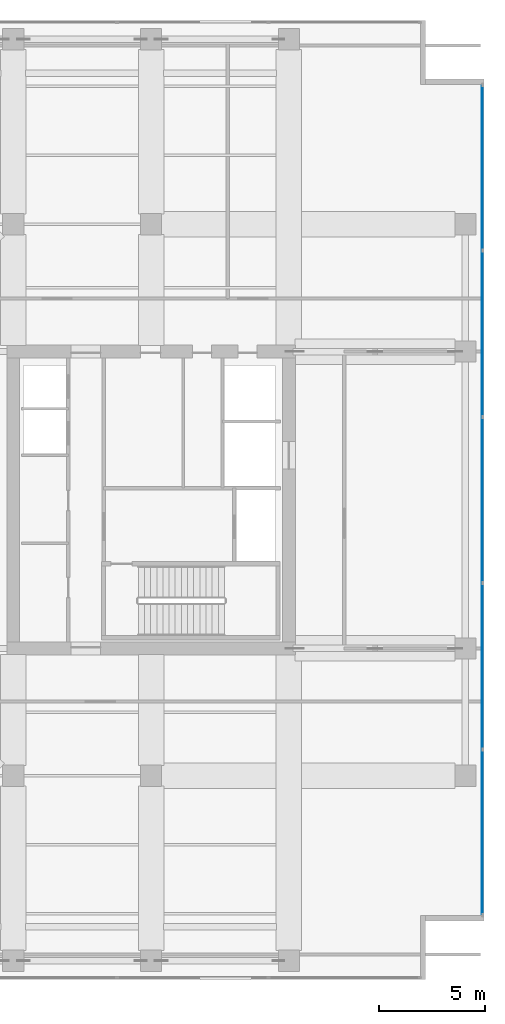
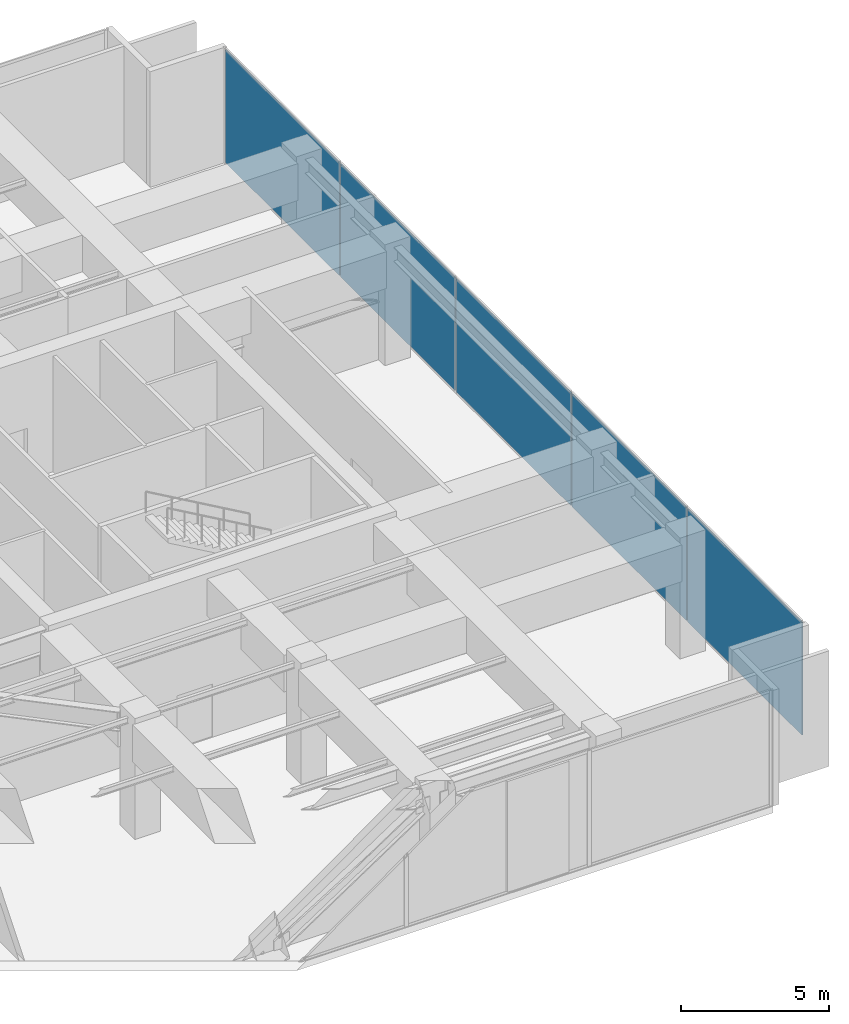
# One storey, part 17 of 28: 5 plates, 1 element without a shape of its own.
"""IFC4 building model written with IfcOpenShell, lengths in metres."""

import ifcopenshell
import ifcopenshell.guid

model = None  # the IFC model being written
_history = None  # IfcOwnerHistory: only IFC2X3 demands one
_inside = {}  # id of a spatial element -> (the spatial element, [elements in it])
_under = {}  # id of a project, library or spatial element -> (it, [spatial elements below it])
_declared = {}  # id of a project -> (the project, [libraries it declares])
_typed = {}  # id of a type object -> (the type object, [elements of that type])
_made_of = {}  # id of a material, layer set ... -> (it, [elements and type objects made of it])


def new_model(schema):
    """Start an empty IFC model of exactly this schema.

    Asked for "IFC4X3", IfcOpenShell would pick the latest addendum, in which some entities
    have other attributes; the version numbers below select the first issue.
    IFC2X3 requires an IfcOwnerHistory on every rooted entity: one is made here for all.
    """
    global model, _history
    if schema == "IFC4X3":
        model = ifcopenshell.file(schema_version=(4, 3, 0, 0))
    else:
        model = ifcopenshell.file(schema=schema)
    _inside.clear()
    _under.clear()
    _declared.clear()
    _typed.clear()
    _made_of.clear()
    _history = None
    if model.schema == "IFC2X3":
        org = make("IfcOrganization", Name="unknown")
        user = make(
            "IfcPersonAndOrganization",
            ThePerson=make("IfcPerson", FamilyName="unknown"),
            TheOrganization=org,
        )
        app = make(
            "IfcApplication",
            ApplicationDeveloper=org,
            Version="unknown",
            ApplicationFullName="unknown",
            ApplicationIdentifier="unknown",
        )
        _history = make(
            "IfcOwnerHistory",
            OwningUser=user,
            OwningApplication=app,
            ChangeAction="ADDED",
            CreationDate=0,
        )
    return model


def make(cls, **values):
    """One entity of the class cls with the attributes given. An attribute that is None is left unset."""
    return model.create_entity(
        cls, **{name: value for name, value in values.items() if value is not None}
    )


def rooted(cls, **values):
    """An entity with a GlobalId (a new one), such as an element, a storey or a relation."""
    return make(cls, GlobalId=ifcopenshell.guid.new(), OwnerHistory=_history, **values)


def si_unit(unit_type, name, prefix=None):
    """IfcSIUnit, for example si_unit("LENGTHUNIT", "METRE", prefix="MILLI")."""
    return make("IfcSIUnit", UnitType=unit_type, Prefix=prefix, Name=name)


def assignment(units):
    """IfcUnitAssignment: the units of a project."""
    return None if units is None else make("IfcUnitAssignment", Units=units)


def point(xyz):
    """IfcCartesianPoint."""
    return None if xyz is None else make("IfcCartesianPoint", Coordinates=xyz)


def direction(xyz):
    """IfcDirection."""
    return None if xyz is None else make("IfcDirection", DirectionRatios=xyz)


def frame(location, z_axis=None, x_axis=None):
    """IfcAxis2Placement3D, a coordinate frame: its origin and axes. An axis left out is left unset."""
    return make(
        "IfcAxis2Placement3D",
        Location=point(location),
        Axis=direction(z_axis),
        RefDirection=direction(x_axis),
    )


def frame_2d(location, x_axis=None):
    """IfcAxis2Placement2D, a coordinate frame in the plane: its origin and x axis."""
    return make(
        "IfcAxis2Placement2D", Location=point(location), RefDirection=direction(x_axis)
    )


def origin():
    """The frame at (0, 0, 0) with its axes left unset."""
    return frame((0.0, 0.0, 0.0))


def origin_2d():
    """The frame at (0, 0) in the plane with its x axis left unset."""
    return frame_2d((0.0, 0.0))


def place(relative_to, where):
    """IfcLocalPlacement: puts the frame where relative to a parent placement (None: the world)."""
    return make(
        "IfcLocalPlacement", PlacementRelTo=relative_to, RelativePlacement=where
    )


def context(
    kind, dimensions, precision=None, world=None, true_north=None, identifier=None
):
    """IfcGeometricRepresentationContext, for example the 3D "Model" context."""
    return make(
        "IfcGeometricRepresentationContext",
        ContextIdentifier=identifier,
        ContextType=kind,
        CoordinateSpaceDimension=dimensions,
        Precision=precision,
        WorldCoordinateSystem=world,
        TrueNorth=true_north,
    )


def subcontext(parent, identifier, kind, view, scale=None):
    """IfcGeometricRepresentationSubContext, for example "Body" below "Model"."""
    return make(
        "IfcGeometricRepresentationSubContext",
        ContextIdentifier=identifier,
        ContextType=kind,
        ParentContext=parent,
        TargetScale=scale,
        TargetView=view,
    )


def project(units=None, contexts=None):
    """IfcProject with its units and contexts."""
    return rooted(
        "IfcProject",
        Name="project",
        RepresentationContexts=contexts,
        UnitsInContext=assignment(units),
    )


def spatial(cls, under=None, at=None, **own):
    """A site, building, storey or space (cls), placed at a placement, below another one or the project."""
    s = rooted(cls, ObjectPlacement=at, **own)
    if under is not None:
        _under.setdefault(under.id(), (under, []))[1].append(s)
    return s


def profile(cls, at=None, kind="AREA", **sizes):
    """A parametric profile (cls). Its sizes go by their IFC names, for example OverallWidth=200.0."""
    return make(cls, ProfileType=kind, Position=at, **sizes)


def rectangle(**sizes):
    """IfcRectangleProfileDef."""
    return profile("IfcRectangleProfileDef", **sizes)


def extrude(swept, where, along, depth):
    """IfcExtrudedAreaSolid: the profile swept, set in the frame where, extruded along a direction by depth."""
    return make(
        "IfcExtrudedAreaSolid",
        SweptArea=swept,
        Position=where,
        ExtrudedDirection=direction(along),
        Depth=depth,
    )


def shape(context_of_items, identifier, shape_type, items):
    """IfcShapeRepresentation: the items that make up one representation, for example the "Body"."""
    return make(
        "IfcShapeRepresentation",
        ContextOfItems=context_of_items,
        RepresentationIdentifier=identifier,
        RepresentationType=shape_type,
        Items=items,
    )


def material(Name=None, Category=None):
    """IfcMaterial."""
    return make("IfcMaterial", Name=Name, Category=Category)


def layer(
    of_material, thickness, ventilated=None, Name=None, Category=None, Priority=None
):
    """IfcMaterialLayer: one layer of a wall or slab, of a material (None: an air gap)."""
    return make(
        "IfcMaterialLayer",
        Material=of_material,
        LayerThickness=thickness,
        IsVentilated=ventilated,
        Name=Name,
        Category=Category,
        Priority=Priority,
    )


def layer_set(layers, Name=None):
    """IfcMaterialLayerSet."""
    return make("IfcMaterialLayerSet", MaterialLayers=layers, LayerSetName=Name)


def made_of(thing, what):
    """Note that an element or type object is made of a material, layer set ...; save() writes the relation."""
    if what is not None:
        _made_of.setdefault(what.id(), (what, []))[1].append(thing)
    return thing


def type_object(cls, material=None, **own):
    """A type object (cls), such as IfcWallType, which elements share."""
    return made_of(rooted(cls, **own), material)


def element(
    cls,
    number,
    at=None,
    inside=None,
    cuts=None,
    type_object=None,
    material=None,
    context=None,
    identifier="Body",
    shape_type=None,
    held_by="IfcProductDefinitionShape",
    body=None,
    shapes=None,
    **own,
):
    """One element of the class cls, such as IfcWall. Its Tag is "e" and its number.

    at: its placement. inside: the storey or other place that contains it. cuts: it is an
    opening in that element (IfcRelVoidsElement). A single representation is given by context,
    identifier, shape_type and body (its items); several are given by shapes. held_by: the class
    of the entity that holds the representations. save() writes the other relations.
    """
    e = rooted(cls, Tag="e%d" % number, ObjectPlacement=at, **own)
    if body is not None:
        shapes = [shape(context, identifier, shape_type, body)]
    if shapes is not None:
        e.Representation = make(held_by, Representations=shapes)
    if inside is not None:
        _inside.setdefault(inside.id(), (inside, []))[1].append(e)
    if cuts is not None:
        rooted(
            "IfcRelVoidsElement", RelatingBuildingElement=cuts, RelatedOpeningElement=e
        )
    if type_object is not None:
        _typed.setdefault(type_object.id(), (type_object, []))[1].append(e)
    return made_of(e, material)


def aggregate(whole, parts):
    """IfcRelAggregates: a whole, such as a stair, and the parts it consists of."""
    return rooted("IfcRelAggregates", RelatingObject=whole, RelatedObjects=parts)


def save(model, path):
    """Write the relations noted so far, then the file.

    IfcRelAggregates (storeys below a building ...), IfcRelContainedInSpatialStructure (elements
    in a storey), IfcRelDefinesByType, IfcRelAssociatesMaterial and IfcRelDeclares: one each for
    every whole, place, type object, material and project.
    """
    for whole, parts in _under.values():
        aggregate(whole, parts)
    for where, things in _inside.values():
        rooted(
            "IfcRelContainedInSpatialStructure",
            RelatedElements=things,
            RelatingStructure=where,
        )
    for kind, things in _typed.values():
        rooted("IfcRelDefinesByType", RelatedObjects=things, RelatingType=kind)
    for what, things in _made_of.values():
        rooted("IfcRelAssociatesMaterial", RelatedObjects=things, RelatingMaterial=what)
    for by, libraries in _declared.values():
        rooted("IfcRelDeclares", RelatingContext=by, RelatedDefinitions=libraries)
    model.write(path)


model = new_model("IFC4")

# Units and contexts
model_context = context("Model", 3, precision=1e-05, world=origin(), true_north=direction((0.0, 1.0)))
body_context = subcontext(model_context, "Body", "Model", "MODEL_VIEW")
ifc_project = project(units=[si_unit("LENGTHUNIT", "METRE"), si_unit("AREAUNIT", "SQUARE_METRE"), si_unit("VOLUMEUNIT", "CUBIC_METRE"), si_unit("PLANEANGLEUNIT", "RADIAN"), si_unit("MASSUNIT", "GRAM", prefix="KILO")], contexts=[model_context])

# Site, building, storey
site_placement = place(None, origin())
site = spatial("IfcSite", under=ifc_project, at=site_placement, CompositionType="ELEMENT")
building_placement = place(site_placement, origin())
building = spatial("IfcBuilding", under=site, at=building_placement, Name="Putna Gate Headquarters", CompositionType="ELEMENT")
storey_placement = place(building_placement, frame((0.0, 0.0, 197.39990234375)))
storey = spatial("IfcBuildingStorey", under=building, at=storey_placement, Name="L49", CompositionType="ELEMENT", Elevation=197.39990234375)

# Curtain wall, plates
ifc_material_1 = material(Name="Anodised bronze aluminium curtain wall", Category="aluminium")
ifc_layer_1 = layer(ifc_material_1, 0.159912109375)
ifc_layer_set_1 = layer_set([ifc_layer_1], Name="Anodised bronze aluminium curtain wall")
curtain_wall_type = type_object("IfcCurtainWallType", Name="CW-SYS-CRN", PredefinedType="USERDEFINED", material=ifc_layer_set_1)
curtain_wall_placement = place(storey_placement, origin())
curtain_wall = element("IfcCurtainWall", 1, at=curtain_wall_placement, inside=storey, type_object=curtain_wall_type, Name="L49 Acoustic Louvre East Enclosure", ObjectType="STICK CURTAIN WALL", PredefinedType="USERDEFINED")
ifc_material_2 = material(Name="Anodised bronze acoustic louvre panel", Category="aluminium")
ifc_layer_2 = layer(ifc_material_2, 0.044921875)
ifc_layer_set_2 = layer_set([ifc_layer_2], Name="Anodised bronze acoustic louvre panel")
plate_type = type_object("IfcPlateType", Name="PAN-CWP-CR", PredefinedType="CURTAIN_PANEL", material=ifc_layer_set_2)
plate_1_placement = place(storey_placement, frame((74.1201171875, 10.336181640625, 0.065185546875), z_axis=(0.0, 0.0, 1.0), x_axis=(0.0, 1.0, 0.0)))
plate_1 = element("IfcPlate", 2, at=plate_1_placement, type_object=plate_type, Name="CWS-CR panel 1.1", PredefinedType="CURTAIN_PANEL", context=body_context, shape_type="SweptSolid", body=[
    extrude(rectangle(XDim=7.742431640625, YDim=0.044921875, at=origin_2d()), origin(), (0.0, 0.0, 1.0), 4.64990234375),
])
plate_2_placement = place(storey_placement, frame((74.1201171875, 18.159912109375, 0.065185546875), z_axis=(0.0, 0.0, 1.0), x_axis=(0.0, 1.0, 0.0)))
plate_2 = element("IfcPlate", 3, at=plate_2_placement, type_object=plate_type, Name="CWS-CR panel 2.1", PredefinedType="CURTAIN_PANEL", context=body_context, shape_type="SweptSolid", body=[
    extrude(rectangle(XDim=7.77490234375, YDim=0.044921875, at=origin_2d()), origin(), (0.0, 0.0, 1.0), 4.64990234375),
])
plate_3_placement = place(storey_placement, frame((74.1201171875, 26.0, 0.065185546875), z_axis=(0.0, 0.0, 1.0), x_axis=(0.0, 1.0, 0.0)))
plate_3 = element("IfcPlate", 4, at=plate_3_placement, type_object=plate_type, Name="CWS-CR panel 3.1", PredefinedType="CURTAIN_PANEL", context=body_context, shape_type="SweptSolid", body=[
    extrude(rectangle(XDim=7.77490234375, YDim=0.044921875, at=origin_2d()), origin(), (0.0, 0.0, 1.0), 4.64990234375),
])
plate_4_placement = place(storey_placement, frame((74.1201171875, 33.840087890625, 0.065185546875), z_axis=(0.0, 0.0, 1.0), x_axis=(0.0, 1.0, 0.0)))
plate_4 = element("IfcPlate", 5, at=plate_4_placement, type_object=plate_type, Name="CWS-CR panel 4.1", PredefinedType="CURTAIN_PANEL", context=body_context, shape_type="SweptSolid", body=[
    extrude(rectangle(XDim=7.77490234375, YDim=0.044921875, at=origin_2d()), origin(), (0.0, 0.0, 1.0), 4.64990234375),
])
plate_5_placement = place(storey_placement, frame((74.1201171875, 41.663818359375, 0.065185546875), z_axis=(0.0, 0.0, 1.0), x_axis=(0.0, 1.0, 0.0)))
plate_5 = element("IfcPlate", 6, at=plate_5_placement, type_object=plate_type, Name="CWS-CR panel 5.1", PredefinedType="CURTAIN_PANEL", context=body_context, shape_type="SweptSolid", body=[
    extrude(rectangle(XDim=7.742431640625, YDim=0.044921875, at=origin_2d()), origin(), (0.0, 0.0, 1.0), 4.64990234375),
])
aggregate(curtain_wall, [plate_1, plate_2, plate_3, plate_4, plate_5])

save(model, "model.ifc")
